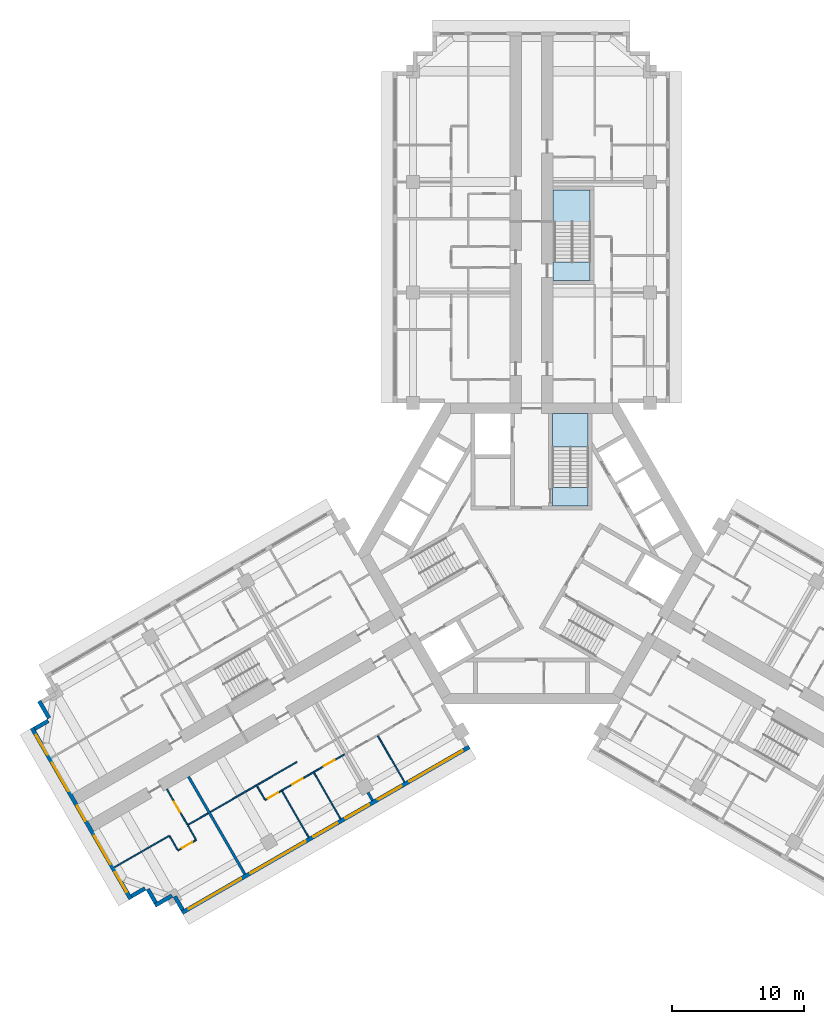
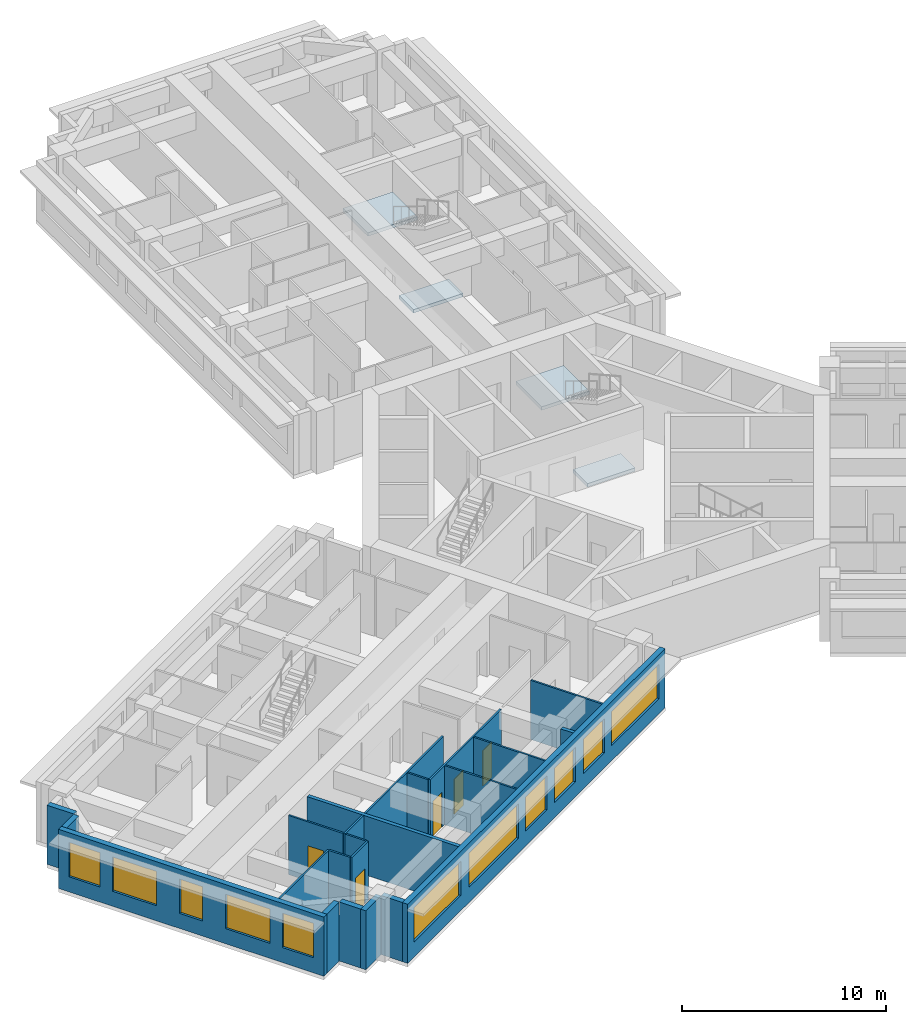
# One storey, part 2 of 14: 22 walls, 11 windows, 5 doors, 4 slabs, 16 openings, 2 elements without a shape of their own.
"""IFC4 building model written with IfcOpenShell, lengths in metres."""

from ifc_helpers import new_model, si_unit, direction, frame, frame_2d, origin, place, context, subcontext, project, spatial, polyline, rectangle, outline, extrude, material, layer, layer_set, type_object, element, fill, aggregate, save


model = new_model("IFC4")

# Units and contexts
model_context = context("Model", 3, precision=1e-05, world=origin(), true_north=direction((0.0, 1.0)))
body_context = subcontext(model_context, "Body", "Model", "MODEL_VIEW")
ifc_project = project(units=[si_unit("LENGTHUNIT", "METRE"), si_unit("AREAUNIT", "SQUARE_METRE"), si_unit("VOLUMEUNIT", "CUBIC_METRE"), si_unit("PLANEANGLEUNIT", "RADIAN"), si_unit("MASSUNIT", "GRAM", prefix="KILO")], contexts=[model_context])

# Site, building, storey
site_placement = place(None, origin())
site = spatial("IfcSite", under=ifc_project, at=site_placement, CompositionType="ELEMENT")
building_placement = place(site_placement, origin())
building = spatial("IfcBuilding", under=site, at=building_placement, Name="Impinga Residences", CompositionType="ELEMENT")
storey_placement = place(building_placement, frame((0.0, 0.0, 143.5)))
storey = spatial("IfcBuildingStorey", under=building, at=storey_placement, Name="L35", CompositionType="ELEMENT", Elevation=143.5)

# Stair, slabs
ifc_material_1 = material(Name="Concrete C40/50", Category="concrete")
stair_type_1 = type_object("IfcStairType", Name="STR core stair 3750 storey, 24 risers", PredefinedType="HALF_TURN_STAIR", material=ifc_material_1)
stair_1_placement = place(storey_placement, origin())
stair_1 = element("IfcStair", 1, at=stair_1_placement, inside=storey, type_object=stair_type_1, Name="Stair ST1 L35", PredefinedType="HALF_TURN_STAIR")
ifc_layer_1 = layer(ifc_material_1, 0.199951171875)
ifc_layer_set_1 = layer_set([ifc_layer_1], Name="Concrete C40/50")
slab_type = type_object("IfcSlabType", Name="LS1 stair landing 200", PredefinedType="LANDING", material=ifc_layer_set_1)
slab_1_placement = place(storey_placement, frame((0.0, 0.0, -0.199951171875)))
slab_1 = element("IfcSlab", 2, at=slab_1_placement, type_object=slab_type, Name="ST1 landing 1", PredefinedType="LANDING", context=body_context, shape_type="SweptSolid", body=[
    extrude(outline(polyline([(1.60009765625, 3.6298828125), (4.300048828125, 3.6298828125), (4.300048828125, 5.0400390625), (1.60009765625, 5.0400390625), (1.60009765625, 3.6298828125)])), origin(), (0.0, 0.0, 1.0), 0.199951171875),
])
slab_2_placement = place(storey_placement, frame((0.0, 0.0, 1.675048828125)))
slab_2 = element("IfcSlab", 3, at=slab_2_placement, type_object=slab_type, Name="ST1 landing 2", PredefinedType="LANDING", context=body_context, shape_type="SweptSolid", body=[
    extrude(outline(polyline([(1.60009765625, 8.10009765625), (4.300048828125, 8.10009765625), (4.300048828125, 10.631591796875), (1.60009765625, 10.631591796875), (1.60009765625, 8.10009765625)])), origin(), (0.0, 0.0, 1.0), 0.199951171875),
])
aggregate(stair_1, [slab_1, slab_2])

stair_type_2 = type_object("IfcStairType", Name="STR wing stair 3750 storey, 24 risers", PredefinedType="HALF_TURN_STAIR", material=ifc_material_1)
stair_2_placement = place(storey_placement, origin())
stair_2 = element("IfcStair", 4, at=stair_2_placement, inside=storey, type_object=stair_type_2, Name="Stair WS1 L35", PredefinedType="HALF_TURN_STAIR")
slab_3_placement = place(storey_placement, frame((0.0, 0.0, -0.199951171875)))
slab_3 = element("IfcSlab", 5, at=slab_3_placement, type_object=slab_type, Name="WS1 landing 1", PredefinedType="LANDING", context=body_context, shape_type="SweptSolid", body=[
    extrude(outline(polyline([(1.64990234375, 20.7314453125), (4.449951171875, 20.7314453125), (4.449951171875, 22.1416015625), (1.64990234375, 22.1416015625), (1.64990234375, 20.7314453125)])), origin(), (0.0, 0.0, 1.0), 0.199951171875),
])
slab_4_placement = place(storey_placement, frame((0.0, 0.0, 1.675048828125)))
slab_4 = element("IfcSlab", 6, at=slab_4_placement, type_object=slab_type, Name="WS1 landing 2", PredefinedType="LANDING", context=body_context, shape_type="SweptSolid", body=[
    extrude(outline(polyline([(1.64990234375, 25.201416015625), (4.449951171875, 25.201416015625), (4.449951171875, 27.631591796875), (1.64990234375, 27.631591796875), (1.64990234375, 25.201416015625)])), origin(), (0.0, 0.0, 1.0), 0.199951171875),
])
aggregate(stair_2, [slab_3, slab_4])

# Wall, openings, windows
ifc_material_2 = material(Name="Terracotta rainscreen on blockwork", Category="masonry")
ifc_layer_2 = layer(ifc_material_2, 0.300048828125)
ifc_layer_set_2 = layer_set([ifc_layer_2], Name="EW1 external wall, terracotta rainscreen on blockwork 300")
wall_type_1 = type_object("IfcWallType", Name="EW1 external wall, terracotta rainscreen on blockwork 300", PredefinedType="SOLIDWALL", material=ifc_layer_set_2)
wall_1_placement = place(storey_placement, frame((-4.72509765625, -14.67919921875, 0.0), z_axis=(0.0, 0.0, 1.0), x_axis=(-0.866026832479, -0.499997525421, 0.0)))
wall_1 = element("IfcWall", 7, at=wall_1_placement, inside=storey, type_object=wall_type_1, Name="External wall EW1 L35", PredefinedType="SOLIDWALL", context=body_context, shape_type="SweptSolid", body=[
    extrude(rectangle(XDim=25.199951171875, YDim=0.300048828125, at=frame_2d((12.60009765625, 0.0))), origin(), (0.0, 0.0, 1.0), 3.530029296875),
])
opening_1_placement = place(wall_1_placement, frame((0.60009765625, 0.0, 0.89990234375)))
opening_1 = element("IfcOpeningElement", 8, at=opening_1_placement, cuts=wall_1, Name="Opening W10", PredefinedType="OPENING", context=body_context, shape_type="SweptSolid", body=[
    extrude(rectangle(XDim=4.64990234375, YDim=2.050048828125, at=frame_2d((2.324951171875, 1.02490234375))), frame((0.0, 0.159912109375, 0.0), z_axis=(0.0, -1.0, 0.0), x_axis=(1.0, 0.0, 0.0)), (0.0, 0.0, 1.0), 0.320068359375),
])
opening_2_placement = place(wall_1_placement, frame((5.949951171875, 0.0, 0.89990234375)))
opening_2 = element("IfcOpeningElement", 9, at=opening_2_placement, cuts=wall_1, Name="Opening W14", PredefinedType="OPENING", context=body_context, shape_type="SweptSolid", body=[
    extrude(rectangle(XDim=2.050048828125, YDim=2.050048828125, at=frame_2d((1.02490234375, 1.02490234375))), frame((0.0, 0.159912109375, 0.0), z_axis=(0.0, -1.0, 0.0), x_axis=(1.0, 0.0, 0.0)), (0.0, 0.0, 1.0), 0.320068359375),
])
opening_3_placement = place(wall_1_placement, frame((8.800048828125, 0.0, 0.89990234375)))
opening_3 = element("IfcOpeningElement", 10, at=opening_3_placement, cuts=wall_1, Name="Opening W14", PredefinedType="OPENING", context=body_context, shape_type="SweptSolid", body=[
    extrude(rectangle(XDim=2.050048828125, YDim=2.050048828125, at=frame_2d((1.02490234375, 1.02490234375))), frame((0.0, 0.159912109375, 0.0), z_axis=(0.0, -1.0, 0.0), x_axis=(1.0, 0.0, 0.0)), (0.0, 0.0, 1.0), 0.320068359375),
])
opening_4_placement = place(wall_1_placement, frame((11.550048828125, 0.0, 0.89990234375)))
opening_4 = element("IfcOpeningElement", 11, at=opening_4_placement, cuts=wall_1, Name="Opening W9", PredefinedType="OPENING", context=body_context, shape_type="SweptSolid", body=[
    extrude(rectangle(XDim=2.10009765625, YDim=2.050048828125, at=frame_2d((1.050048828125, 1.02490234375))), frame((0.0, 0.159912109375, 0.0), z_axis=(0.0, -1.0, 0.0), x_axis=(1.0, 0.0, 0.0)), (0.0, 0.0, 1.0), 0.320068359375),
])
opening_5_placement = place(wall_1_placement, frame((14.35009765625, 0.0, 0.89990234375)))
opening_5 = element("IfcOpeningElement", 12, at=opening_5_placement, cuts=wall_1, Name="Opening W6", PredefinedType="OPENING", context=body_context, shape_type="SweptSolid", body=[
    extrude(rectangle(XDim=4.85009765625, YDim=2.050048828125, at=frame_2d((2.425048828125, 1.02490234375))), frame((0.0, 0.159912109375, 0.0), z_axis=(0.0, -1.0, 0.0), x_axis=(1.0, 0.0, 0.0)), (0.0, 0.0, 1.0), 0.320068359375),
])
opening_6_placement = place(wall_1_placement, frame((20.0, 0.0, 0.89990234375)))
opening_6 = element("IfcOpeningElement", 13, at=opening_6_placement, cuts=wall_1, Name="Opening W3", PredefinedType="OPENING", context=body_context, shape_type="SweptSolid", body=[
    extrude(rectangle(XDim=4.60009765625, YDim=2.050048828125, at=frame_2d((2.300048828125, 1.02490234375))), frame((0.0, 0.159912109375, 0.0), z_axis=(0.0, -1.0, 0.0), x_axis=(1.0, 0.0, 0.0)), (0.0, 0.0, 1.0), 0.320068359375),
])
ifc_material_3 = material(Name="Aluminium window, clear double glazing", Category="aluminium")
window_type_1 = type_object("IfcWindowType", Name="W10 ribbon window 4650x2050", PartitioningType="SINGLE_PANEL", PredefinedType="WINDOW", material=ifc_material_3)
window_1_placement = place(opening_1_placement, origin())
window_1 = element("IfcWindow", 14, at=window_1_placement, inside=storey, type_object=window_type_1, Name="Window L35", OverallHeight=2.050048828125, OverallWidth=4.64990234375, PartitioningType="SINGLE_PANEL", PredefinedType="WINDOW", context=body_context, shape_type="SweptSolid", body=[
    extrude(rectangle(XDim=4.64990234375, YDim=2.050048828125, at=frame_2d((2.324951171875, 1.02490234375))), frame((0.0, 0.030029296875, 0.0), z_axis=(0.0, -1.0, 0.0), x_axis=(1.0, 0.0, 0.0)), (0.0, 0.0, 1.0), 0.06005859375),
])
fill(opening_1, window_1)
window_type_2 = type_object("IfcWindowType", Name="W14 ribbon window 2050x2050", PartitioningType="SINGLE_PANEL", PredefinedType="WINDOW", material=ifc_material_3)
window_2_placement = place(opening_2_placement, origin())
window_2 = element("IfcWindow", 15, at=window_2_placement, inside=storey, type_object=window_type_2, Name="Window L35", OverallHeight=2.050048828125, OverallWidth=2.050048828125, PartitioningType="SINGLE_PANEL", PredefinedType="WINDOW", context=body_context, shape_type="SweptSolid", body=[
    extrude(rectangle(XDim=2.050048828125, YDim=2.050048828125, at=frame_2d((1.02490234375, 1.02490234375))), frame((0.0, 0.030029296875, 0.0), z_axis=(0.0, -1.0, 0.0), x_axis=(1.0, 0.0, 0.0)), (0.0, 0.0, 1.0), 0.06005859375),
])
fill(opening_2, window_2)
window_3_placement = place(opening_3_placement, origin())
window_3 = element("IfcWindow", 16, at=window_3_placement, inside=storey, type_object=window_type_2, Name="Window L35", OverallHeight=2.050048828125, OverallWidth=2.050048828125, PartitioningType="SINGLE_PANEL", PredefinedType="WINDOW", context=body_context, shape_type="SweptSolid", body=[
    extrude(rectangle(XDim=2.050048828125, YDim=2.050048828125, at=frame_2d((1.02490234375, 1.02490234375))), frame((0.0, 0.030029296875, 0.0), z_axis=(0.0, -1.0, 0.0), x_axis=(1.0, 0.0, 0.0)), (0.0, 0.0, 1.0), 0.06005859375),
])
fill(opening_3, window_3)
window_type_3 = type_object("IfcWindowType", Name="W3 ribbon window 4600x2050", PartitioningType="SINGLE_PANEL", PredefinedType="WINDOW", material=ifc_material_3)
window_4_placement = place(opening_6_placement, origin())
window_4 = element("IfcWindow", 17, at=window_4_placement, inside=storey, type_object=window_type_3, Name="Window L35", OverallHeight=2.050048828125, OverallWidth=4.60009765625, PartitioningType="SINGLE_PANEL", PredefinedType="WINDOW", context=body_context, shape_type="SweptSolid", body=[
    extrude(rectangle(XDim=4.60009765625, YDim=2.050048828125, at=frame_2d((2.300048828125, 1.02490234375))), frame((0.0, 0.030029296875, 0.0), z_axis=(0.0, -1.0, 0.0), x_axis=(1.0, 0.0, 0.0)), (0.0, 0.0, 1.0), 0.06005859375),
])
fill(opening_6, window_4)
window_type_4 = type_object("IfcWindowType", Name="W6 ribbon window 4850x2050", PartitioningType="SINGLE_PANEL", PredefinedType="WINDOW", material=ifc_material_3)
window_5_placement = place(opening_5_placement, origin())
window_5 = element("IfcWindow", 18, at=window_5_placement, inside=storey, type_object=window_type_4, Name="Window L35", OverallHeight=2.050048828125, OverallWidth=4.85009765625, PartitioningType="SINGLE_PANEL", PredefinedType="WINDOW", context=body_context, shape_type="SweptSolid", body=[
    extrude(rectangle(XDim=4.85009765625, YDim=2.050048828125, at=frame_2d((2.425048828125, 1.02490234375))), frame((0.0, 0.030029296875, 0.0), z_axis=(0.0, -1.0, 0.0), x_axis=(1.0, 0.0, 0.0)), (0.0, 0.0, 1.0), 0.06005859375),
])
fill(opening_5, window_5)
window_type_5 = type_object("IfcWindowType", Name="W9 ribbon window 2100x2050", PartitioningType="SINGLE_PANEL", PredefinedType="WINDOW", material=ifc_material_3)
window_6_placement = place(opening_4_placement, origin())
window_6 = element("IfcWindow", 19, at=window_6_placement, inside=storey, type_object=window_type_5, Name="Window L35", OverallHeight=2.050048828125, OverallWidth=2.10009765625, PartitioningType="SINGLE_PANEL", PredefinedType="WINDOW", context=body_context, shape_type="SweptSolid", body=[
    extrude(rectangle(XDim=2.10009765625, YDim=2.050048828125, at=frame_2d((1.050048828125, 1.02490234375))), frame((0.0, 0.030029296875, 0.0), z_axis=(0.0, -1.0, 0.0), x_axis=(1.0, 0.0, 0.0)), (0.0, 0.0, 1.0), 0.06005859375),
])
fill(opening_4, window_6)

# Walls
wall_2_placement = place(storey_placement, frame((-26.493896484375, -27.07421875, 0.0), z_axis=(0.0, 0.0, 1.0), x_axis=(-0.500033551112, 0.866006032174, 0.0)))
element("IfcWall", 20, at=wall_2_placement, inside=storey, type_object=wall_type_1, Name="External wall EW1 L35", PredefinedType="SOLIDWALL", context=body_context, shape_type="SweptSolid", body=[
    extrude(rectangle(XDim=1.2001953125, YDim=0.300048828125, at=frame_2d((0.60009765625, 0.0))), origin(), (0.0, 0.0, 1.0), 3.530029296875),
])
wall_3_placement = place(storey_placement, frame((-27.30322265625, -25.982666015625, 0.0), z_axis=(0.0, 0.0, 1.0), x_axis=(-0.866074087889, -0.499915667175, 0.0)))
element("IfcWall", 21, at=wall_3_placement, inside=storey, type_object=wall_type_1, Name="External wall EW1 L35", PredefinedType="SOLIDWALL", context=body_context, shape_type="SweptSolid", body=[
    extrude(rectangle(XDim=1.494873046875, YDim=0.300048828125, at=frame_2d((0.74755859375, 0.0))), origin(), (0.0, 0.0, 1.0), 3.530029296875),
])
wall_4_placement = place(storey_placement, frame((-28.54296875, -26.525146484375, 0.0), z_axis=(0.0, 0.0, 1.0), x_axis=(-0.500033551112, 0.866006032174, 0.0)))
element("IfcWall", 22, at=wall_4_placement, inside=storey, type_object=wall_type_1, Name="External wall EW1 L35", PredefinedType="SOLIDWALL", context=body_context, shape_type="SweptSolid", body=[
    extrude(rectangle(XDim=1.2001953125, YDim=0.300048828125, at=frame_2d((0.60009765625, 0.0))), origin(), (0.0, 0.0, 1.0), 3.530029296875),
])
wall_5_placement = place(storey_placement, frame((-29.352294921875, -25.43359375, 0.0), z_axis=(0.0, 0.0, 1.0), x_axis=(-0.866059708757, -0.499940577336, 0.0)))
element("IfcWall", 23, at=wall_5_placement, inside=storey, type_object=wall_type_1, Name="External wall EW1 L35", PredefinedType="SOLIDWALL", context=body_context, shape_type="SweptSolid", body=[
    extrude(rectangle(XDim=1.195068359375, YDim=0.300048828125, at=frame_2d((0.59765625, 0.0))), origin(), (0.0, 0.0, 1.0), 3.530029296875),
])

# Wall, openings, windows
wall_6_placement = place(storey_placement, frame((-30.44189453125, -26.23583984375, 0.0), z_axis=(0.0, 0.0, 1.0), x_axis=(-0.500004234368, 0.866022959057, 0.0)))
wall_6 = element("IfcWall", 24, at=wall_6_placement, inside=storey, type_object=wall_type_1, Name="External wall EW1 L35", PredefinedType="SOLIDWALL", context=body_context, shape_type="SweptSolid", body=[
    extrude(rectangle(XDim=14.999755859375, YDim=0.300048828125, at=frame_2d((7.5, 0.0))), origin(), (0.0, 0.0, 1.0), 3.530029296875),
])
opening_7_placement = place(wall_6_placement, frame((0.60009765625, 0.0, 0.89990234375)))
opening_7 = element("IfcOpeningElement", 25, at=opening_7_placement, cuts=wall_6, Name="Opening W1", PredefinedType="OPENING", context=body_context, shape_type="SweptSolid", body=[
    extrude(rectangle(XDim=1.75, YDim=2.050048828125, at=frame_2d((0.875, 1.02490234375))), frame((0.0, 0.159912109375, 0.0), z_axis=(0.0, -1.0, 0.0), x_axis=(1.0, 0.0, 0.0)), (0.0, 0.0, 1.0), 0.320068359375),
])
opening_8_placement = place(wall_6_placement, frame((3.050048828125, 0.0, 0.89990234375)))
opening_8 = element("IfcOpeningElement", 26, at=opening_8_placement, cuts=wall_6, Name="Opening W2", PredefinedType="OPENING", context=body_context, shape_type="SweptSolid", body=[
    extrude(rectangle(XDim=2.5, YDim=2.050048828125, at=frame_2d((1.25, 1.02490234375))), frame((0.0, 0.159912109375, 0.0), z_axis=(0.0, -1.0, 0.0), x_axis=(1.0, 0.0, 0.0)), (0.0, 0.0, 1.0), 0.320068359375),
])
opening_9_placement = place(wall_6_placement, frame((6.85009765625, 0.0, 0.89990234375)))
opening_9 = element("IfcOpeningElement", 27, at=opening_9_placement, cuts=wall_6, Name="Opening W17", PredefinedType="OPENING", context=body_context, shape_type="SweptSolid", body=[
    extrude(rectangle(XDim=1.300048828125, YDim=2.050048828125, at=frame_2d((0.64990234375, 1.02490234375))), frame((0.0, 0.159912109375, 0.0), z_axis=(0.0, -1.0, 0.0), x_axis=(1.0, 0.0, 0.0)), (0.0, 0.0, 1.0), 0.320068359375),
])
opening_10_placement = place(wall_6_placement, frame((9.449951171875, 0.0, 0.89990234375)))
opening_10 = element("IfcOpeningElement", 28, at=opening_10_placement, cuts=wall_6, Name="Opening W2", PredefinedType="OPENING", context=body_context, shape_type="SweptSolid", body=[
    extrude(rectangle(XDim=2.5, YDim=2.050048828125, at=frame_2d((1.25, 1.02490234375))), frame((0.0, 0.159912109375, 0.0), z_axis=(0.0, -1.0, 0.0), x_axis=(1.0, 0.0, 0.0)), (0.0, 0.0, 1.0), 0.320068359375),
])
opening_11_placement = place(wall_6_placement, frame((12.64990234375, 0.0, 0.89990234375)))
opening_11 = element("IfcOpeningElement", 29, at=opening_11_placement, cuts=wall_6, Name="Opening W1", PredefinedType="OPENING", context=body_context, shape_type="SweptSolid", body=[
    extrude(rectangle(XDim=1.75, YDim=2.050048828125, at=frame_2d((0.875, 1.02490234375))), frame((0.0, 0.159912109375, 0.0), z_axis=(0.0, -1.0, 0.0), x_axis=(1.0, 0.0, 0.0)), (0.0, 0.0, 1.0), 0.320068359375),
])
window_type_6 = type_object("IfcWindowType", Name="W1 ribbon window 1750x2050", PartitioningType="SINGLE_PANEL", PredefinedType="WINDOW", material=ifc_material_3)
window_7_placement = place(opening_7_placement, origin())
window_7 = element("IfcWindow", 30, at=window_7_placement, inside=storey, type_object=window_type_6, Name="Window L35", OverallHeight=2.050048828125, OverallWidth=1.75, PartitioningType="SINGLE_PANEL", PredefinedType="WINDOW", context=body_context, shape_type="SweptSolid", body=[
    extrude(rectangle(XDim=1.75, YDim=2.050048828125, at=frame_2d((0.875, 1.02490234375))), frame((0.0, 0.030029296875, 0.0), z_axis=(0.0, -1.0, 0.0), x_axis=(1.0, 0.0, 0.0)), (0.0, 0.0, 1.0), 0.06005859375),
])
fill(opening_7, window_7)
window_8_placement = place(opening_11_placement, origin())
window_8 = element("IfcWindow", 31, at=window_8_placement, inside=storey, type_object=window_type_6, Name="Window L35", OverallHeight=2.050048828125, OverallWidth=1.75, PartitioningType="SINGLE_PANEL", PredefinedType="WINDOW", context=body_context, shape_type="SweptSolid", body=[
    extrude(rectangle(XDim=1.75, YDim=2.050048828125, at=frame_2d((0.875, 1.02490234375))), frame((0.0, 0.030029296875, 0.0), z_axis=(0.0, -1.0, 0.0), x_axis=(1.0, 0.0, 0.0)), (0.0, 0.0, 1.0), 0.06005859375),
])
fill(opening_11, window_8)
window_type_7 = type_object("IfcWindowType", Name="W17 ribbon window 1300x2050", PartitioningType="SINGLE_PANEL", PredefinedType="WINDOW", material=ifc_material_3)
window_9_placement = place(opening_9_placement, origin())
window_9 = element("IfcWindow", 32, at=window_9_placement, inside=storey, type_object=window_type_7, Name="Window L35", OverallHeight=2.050048828125, OverallWidth=1.300048828125, PartitioningType="SINGLE_PANEL", PredefinedType="WINDOW", context=body_context, shape_type="SweptSolid", body=[
    extrude(rectangle(XDim=1.300048828125, YDim=2.050048828125, at=frame_2d((0.64990234375, 1.02490234375))), frame((0.0, 0.030029296875, 0.0), z_axis=(0.0, -1.0, 0.0), x_axis=(1.0, 0.0, 0.0)), (0.0, 0.0, 1.0), 0.06005859375),
])
fill(opening_9, window_9)
window_type_8 = type_object("IfcWindowType", Name="W2 ribbon window 2500x2050", PartitioningType="SINGLE_PANEL", PredefinedType="WINDOW", material=ifc_material_3)
window_10_placement = place(opening_8_placement, origin())
window_10 = element("IfcWindow", 33, at=window_10_placement, inside=storey, type_object=window_type_8, Name="Window L35", OverallHeight=2.050048828125, OverallWidth=2.5, PartitioningType="SINGLE_PANEL", PredefinedType="WINDOW", context=body_context, shape_type="SweptSolid", body=[
    extrude(rectangle(XDim=2.5, YDim=2.050048828125, at=frame_2d((1.25, 1.02490234375))), frame((0.0, 0.030029296875, 0.0), z_axis=(0.0, -1.0, 0.0), x_axis=(1.0, 0.0, 0.0)), (0.0, 0.0, 1.0), 0.06005859375),
])
fill(opening_8, window_10)
window_11_placement = place(opening_10_placement, origin())
window_11 = element("IfcWindow", 34, at=window_11_placement, inside=storey, type_object=window_type_8, Name="Window L35", OverallHeight=2.050048828125, OverallWidth=2.5, PartitioningType="SINGLE_PANEL", PredefinedType="WINDOW", context=body_context, shape_type="SweptSolid", body=[
    extrude(rectangle(XDim=2.5, YDim=2.050048828125, at=frame_2d((1.25, 1.02490234375))), frame((0.0, 0.030029296875, 0.0), z_axis=(0.0, -1.0, 0.0), x_axis=(1.0, 0.0, 0.0)), (0.0, 0.0, 1.0), 0.06005859375),
])
fill(opening_10, window_11)

# Walls
wall_7_placement = place(storey_placement, frame((-37.737060546875, -13.300537109375, 0.0), z_axis=(0.0, 0.0, 1.0), x_axis=(0.865971243484, 0.500093796661, 0.0)))
element("IfcWall", 35, at=wall_7_placement, inside=storey, type_object=wall_type_1, Name="External wall EW1 L35", PredefinedType="SOLIDWALL", context=body_context, shape_type="SweptSolid", body=[
    extrude(rectangle(XDim=1.195068359375, YDim=0.300048828125, at=frame_2d((0.59765625, 0.0))), origin(), (0.0, 0.0, 1.0), 3.530029296875),
])
wall_8_placement = place(storey_placement, frame((-36.64306640625, -12.49560546875, 0.0), z_axis=(0.0, 0.0, 1.0), x_axis=(-0.499990139034, 0.866031096941, 0.0)))
element("IfcWall", 36, at=wall_8_placement, inside=storey, type_object=wall_type_1, Name="External wall EW1 L35", PredefinedType="SOLIDWALL", context=body_context, shape_type="SweptSolid", body=[
    extrude(rectangle(XDim=1.5, YDim=0.300048828125, at=frame_2d((0.75, 0.0))), origin(), (0.0, 0.0, 1.0), 3.530029296875),
])
ifc_material_4 = material(Name="Gypsum board on steel studs", Category="steel")
ifc_layer_3 = layer(ifc_material_4, 0.10009765625)
ifc_layer_set_3 = layer_set([ifc_layer_3], Name="Gypsum board on steel studs")
wall_type_2 = type_object("IfcWallType", Name="IP1 partition 100", PredefinedType="PARTITIONING", material=ifc_layer_set_3)
wall_9_placement = place(storey_placement, frame((-11.6748046875, -13.841796875, 0.0), z_axis=(0.0, 0.0, 1.0), x_axis=(0.500035537042, -0.866004885491, 0.0)))
element("IfcWall", 37, at=wall_9_placement, inside=storey, type_object=wall_type_2, Name="Partition L35-WA1:OB1", PredefinedType="PARTITIONING", context=body_context, shape_type="SweptSolid", body=[
    extrude(rectangle(XDim=4.050048828125, YDim=0.10009765625, at=frame_2d((2.02490234375, 0.0))), origin(), (0.0, 0.0, 1.0), 3.530029296875),
])
wall_10_placement = place(storey_placement, frame((-17.8056640625, -15.82275390625, 0.0), z_axis=(0.0, 0.0, 1.0), x_axis=(-0.866022425744, -0.500005158081, 0.0)))
element("IfcWall", 38, at=wall_10_placement, inside=storey, type_object=wall_type_2, Name="Partition L35-WA2:DIV1", PredefinedType="PARTITIONING", context=body_context, shape_type="SweptSolid", body=[
    extrude(rectangle(XDim=7.60009765625, YDim=0.10009765625, at=frame_2d((3.800048828125, 0.0))), origin(), (0.0, 0.0, 1.0), 3.530029296875),
])

# Wall, openings, doors
wall_11_placement = place(storey_placement, frame((-14.211181640625, -15.24853515625, 0.0), z_axis=(0.0, 0.0, 1.0), x_axis=(-0.866016523273, -0.500015381182, 0.0)))
wall_11 = element("IfcWall", 39, at=wall_11_placement, inside=storey, type_object=wall_type_2, Name="Partition L35-WA2:STRIP", PredefinedType="PARTITIONING", context=body_context, shape_type="SweptSolid", body=[
    extrude(rectangle(XDim=6.949951171875, YDim=0.10009765625, at=frame_2d((3.47509765625, 0.0))), origin(), (0.0, 0.0, 1.0), 3.530029296875),
])
opening_12_placement = place(wall_11_placement, frame((0.875, 0.0, 0.0)))
opening_12 = element("IfcOpeningElement", 40, at=opening_12_placement, cuts=wall_11, Name="Opening D2", PredefinedType="OPENING", context=body_context, shape_type="SweptSolid", body=[
    extrude(rectangle(XDim=0.89990234375, YDim=2.10009765625, at=frame_2d((0.449951171875, 1.050048828125))), frame((0.0, 0.06005859375, 0.0), z_axis=(0.0, -1.0, 0.0), x_axis=(1.0, 0.0, 0.0)), (0.0, 0.0, 1.0), 0.1201171875),
])
opening_13_placement = place(wall_11_placement, frame((3.64990234375, 0.0, 0.0)))
opening_13 = element("IfcOpeningElement", 41, at=opening_13_placement, cuts=wall_11, Name="Opening D2", PredefinedType="OPENING", context=body_context, shape_type="SweptSolid", body=[
    extrude(rectangle(XDim=0.89990234375, YDim=2.10009765625, at=frame_2d((0.449951171875, 1.050048828125))), frame((0.0, 0.06005859375, 0.0), z_axis=(0.0, -1.0, 0.0), x_axis=(1.0, 0.0, 0.0)), (0.0, 0.0, 1.0), 0.1201171875),
])
opening_14_placement = place(wall_11_placement, frame((5.800048828125, 0.0, 0.0)))
opening_14 = element("IfcOpeningElement", 42, at=opening_14_placement, cuts=wall_11, Name="Opening D2", PredefinedType="OPENING", context=body_context, shape_type="SweptSolid", body=[
    extrude(rectangle(XDim=0.89990234375, YDim=2.10009765625, at=frame_2d((0.449951171875, 1.050048828125))), frame((0.0, 0.06005859375, 0.0), z_axis=(0.0, -1.0, 0.0), x_axis=(1.0, 0.0, 0.0)), (0.0, 0.0, 1.0), 0.1201171875),
])
ifc_material_5 = material(Name="Timber door set", Category="wood")
door_type = type_object("IfcDoorType", Name="D2 internal door 900x2100", OperationType="SINGLE_SWING_LEFT", PredefinedType="DOOR", material=ifc_material_5)
door_1_placement = place(opening_12_placement, origin())
door_1 = element("IfcDoor", 43, at=door_1_placement, inside=storey, type_object=door_type, Name="Apartment L35-WA2 room door", OperationType="SINGLE_SWING_LEFT", OverallHeight=2.10009765625, OverallWidth=0.89990234375, PredefinedType="DOOR", context=body_context, shape_type="SweptSolid", body=[
    extrude(rectangle(XDim=0.89990234375, YDim=2.10009765625, at=frame_2d((0.449951171875, 1.050048828125))), frame((0.0, 0.02490234375, 0.0), z_axis=(0.0, -1.0, 0.0), x_axis=(1.0, 0.0, 0.0)), (0.0, 0.0, 1.0), 0.050048828125),
])
fill(opening_12, door_1)
door_2_placement = place(opening_13_placement, origin())
door_2 = element("IfcDoor", 44, at=door_2_placement, inside=storey, type_object=door_type, Name="Apartment L35-WA2 room door", OperationType="SINGLE_SWING_RIGHT", OverallHeight=2.10009765625, OverallWidth=0.89990234375, PredefinedType="DOOR", context=body_context, shape_type="SweptSolid", body=[
    extrude(rectangle(XDim=0.89990234375, YDim=2.10009765625, at=frame_2d((0.449951171875, 1.050048828125))), frame((0.0, 0.02490234375, 0.0), z_axis=(0.0, -1.0, 0.0), x_axis=(1.0, 0.0, 0.0)), (0.0, 0.0, 1.0), 0.050048828125),
])
fill(opening_13, door_2)
door_3_placement = place(opening_14_placement, origin())
door_3 = element("IfcDoor", 45, at=door_3_placement, inside=storey, type_object=door_type, Name="Apartment L35-WA2 room door", OperationType="SINGLE_SWING_RIGHT", OverallHeight=2.10009765625, OverallWidth=0.89990234375, PredefinedType="DOOR", context=body_context, shape_type="SweptSolid", body=[
    extrude(rectangle(XDim=0.89990234375, YDim=2.10009765625, at=frame_2d((0.449951171875, 1.050048828125))), frame((0.0, 0.02490234375, 0.0), z_axis=(0.0, -1.0, 0.0), x_axis=(1.0, 0.0, 0.0)), (0.0, 0.0, 1.0), 0.050048828125),
])
fill(opening_14, door_3)

# Walls
wall_12_placement = place(storey_placement, frame((-20.85498046875, -17.640869140625, 0.0), z_axis=(0.0, 0.0, 1.0), x_axis=(0.499880961361, -0.866094119867, 0.0)))
element("IfcWall", 46, at=wall_12_placement, inside=storey, type_object=wall_type_2, Name="Partition L35-WA2:SE1", PredefinedType="PARTITIONING", context=body_context, shape_type="SweptSolid", body=[
    extrude(rectangle(XDim=1.199951171875, YDim=0.10009765625, at=frame_2d((0.60009765625, 0.0))), origin(), (0.0, 0.0, 1.0), 3.530029296875),
])
wall_13_placement = place(storey_placement, frame((-16.5244140625, -16.641845703125, 0.0), z_axis=(0.0, 0.0, 1.0), x_axis=(0.499990325971, -0.866030989016, 0.0)))
element("IfcWall", 47, at=wall_13_placement, inside=storey, type_object=wall_type_2, Name="Partition L35-WA2:OB1", PredefinedType="PARTITIONING", context=body_context, shape_type="SweptSolid", body=[
    extrude(rectangle(XDim=4.0498046875, YDim=0.10009765625, at=frame_2d((2.02490234375, 0.0))), origin(), (0.0, 0.0, 1.0), 3.530029296875),
])
wall_14_placement = place(storey_placement, frame((-18.949462890625, -18.041748046875, 0.0), z_axis=(0.0, 0.0, 1.0), x_axis=(0.50000943426, -0.866019956843, 0.0)))
element("IfcWall", 48, at=wall_14_placement, inside=storey, type_object=wall_type_2, Name="Partition L35-WA2:OB2", PredefinedType="PARTITIONING", context=body_context, shape_type="SweptSolid", body=[
    extrude(rectangle(XDim=4.05029296875, YDim=0.10009765625, at=frame_2d((2.025146484375, 0.0))), origin(), (0.0, 0.0, 1.0), 3.530029296875),
])
wall_15_placement = place(storey_placement, frame((-24.560791015625, -19.72265625, 0.0), z_axis=(0.0, 0.0, 1.0), x_axis=(-0.865989075817, -0.500062916607, 0.0)))
element("IfcWall", 49, at=wall_15_placement, inside=storey, type_object=wall_type_2, Name="Partition L35-WA3:DIV0", PredefinedType="PARTITIONING", context=body_context, shape_type="SweptSolid", body=[
    extrude(rectangle(XDim=1.800048828125, YDim=0.10009765625, at=frame_2d((0.89990234375, 0.0))), origin(), (0.0, 0.0, 1.0), 3.530029296875),
])
wall_16_placement = place(storey_placement, frame((-27.505126953125, -21.422607421875, 0.0), z_axis=(0.0, 0.0, 1.0), x_axis=(-0.866015339567, -0.500017431331, 0.0)))
element("IfcWall", 50, at=wall_16_placement, inside=storey, type_object=wall_type_2, Name="Partition L35-WA3:DIV1", PredefinedType="PARTITIONING", context=body_context, shape_type="SweptSolid", body=[
    extrude(rectangle(XDim=4.800048828125, YDim=0.10009765625, at=frame_2d((2.39990234375, 0.0))), origin(), (0.0, 0.0, 1.0), 3.530029296875),
])

# Wall, opening, door
wall_17_placement = place(storey_placement, frame((-25.469482421875, -21.74853515625, 0.0), z_axis=(0.0, 0.0, 1.0), x_axis=(-0.866028054938, -0.499995408039, 0.0)))
wall_17 = element("IfcWall", 51, at=wall_17_placement, inside=storey, type_object=wall_type_2, Name="Partition L35-WA3:STRIP", PredefinedType="PARTITIONING", context=body_context, shape_type="SweptSolid", body=[
    extrude(rectangle(XDim=1.60009765625, YDim=0.10009765625, at=frame_2d((0.800048828125, 0.0))), origin(), (0.0, 0.0, 1.0), 3.530029296875),
])
opening_15_placement = place(wall_17_placement, frame((0.35009765625, 0.0, 0.0)))
opening_15 = element("IfcOpeningElement", 52, at=opening_15_placement, cuts=wall_17, Name="Opening D2", PredefinedType="OPENING", context=body_context, shape_type="SweptSolid", body=[
    extrude(rectangle(XDim=0.89990234375, YDim=2.10009765625, at=frame_2d((0.449951171875, 1.050048828125))), frame((0.0, 0.06005859375, 0.0), z_axis=(0.0, -1.0, 0.0), x_axis=(1.0, 0.0, 0.0)), (0.0, 0.0, 1.0), 0.1201171875),
])
door_4_placement = place(opening_15_placement, origin())
door_4 = element("IfcDoor", 53, at=door_4_placement, inside=storey, type_object=door_type, Name="Apartment L35-WA3 room door", OperationType="SINGLE_SWING_LEFT", OverallHeight=2.10009765625, OverallWidth=0.89990234375, PredefinedType="DOOR", context=body_context, shape_type="SweptSolid", body=[
    extrude(rectangle(XDim=0.89990234375, YDim=2.10009765625, at=frame_2d((0.449951171875, 1.050048828125))), frame((0.0, 0.02490234375, 0.0), z_axis=(0.0, -1.0, 0.0), x_axis=(1.0, 0.0, 0.0)), (0.0, 0.0, 1.0), 0.050048828125),
])
fill(opening_15, door_4)

# Walls
for number, where, z_axis, x_axis, name in (
    (54, (-26.094482421875, -20.666015625, 0.0), (0.0, 0.0, 1.0), (0.499880961361, -0.866094119867, 0.0), "Partition L35-WA3:SE0"),
    (55, (-27.480224609375, -21.466064453125, 0.0), (0.0, 0.0, 1.0), (0.50012165622, -0.865955154139, 0.0), "Partition L35-WA3:SE1"),
):
    element("IfcWall", number, at=place(storey_placement, frame(where, z_axis=z_axis, x_axis=x_axis)), inside=storey, type_object=wall_type_2, Name=name, PredefinedType="PARTITIONING", context=body_context, shape_type="SweptSolid", body=[
        extrude(rectangle(XDim=1.199951171875, YDim=0.10009765625, at=frame_2d((0.60009765625, 0.0))), origin(), (0.0, 0.0, 1.0), 3.530029296875),
    ])

# Wall, opening, door
wall_18_placement = place(storey_placement, frame((-27.694580078125, -17.894775390625, 0.0), z_axis=(0.0, 0.0, 1.0), x_axis=(0.500026960575, -0.86600983753, 0.0)))
wall_18 = element("IfcWall", 56, at=wall_18_placement, inside=storey, type_object=wall_type_2, Name="Partition L35-WA3:IB1", PredefinedType="PARTITIONING", context=body_context, shape_type="SweptSolid", body=[
    extrude(rectangle(XDim=3.099853515625, YDim=0.10009765625, at=frame_2d((1.5498046875, 0.0))), origin(), (0.0, 0.0, 1.0), 3.530029296875),
])
opening_16_placement = place(wall_18_placement, frame((1.10009765625, 0.0, 0.0)))
opening_16 = element("IfcOpeningElement", 57, at=opening_16_placement, cuts=wall_18, Name="Opening D2", PredefinedType="OPENING", context=body_context, shape_type="SweptSolid", body=[
    extrude(rectangle(XDim=0.89990234375, YDim=2.10009765625, at=frame_2d((0.449951171875, 1.050048828125))), frame((0.0, 0.06005859375, 0.0), z_axis=(0.0, -1.0, 0.0), x_axis=(1.0, 0.0, 0.0)), (0.0, 0.0, 1.0), 0.1201171875),
])
door_5_placement = place(opening_16_placement, origin())
door_5 = element("IfcDoor", 58, at=door_5_placement, inside=storey, type_object=door_type, Name="Apartment L35-WA3 bathroom door", OperationType="SINGLE_SWING_LEFT", OverallHeight=2.10009765625, OverallWidth=0.89990234375, PredefinedType="DOOR", context=body_context, shape_type="SweptSolid", body=[
    extrude(rectangle(XDim=0.89990234375, YDim=2.10009765625, at=frame_2d((0.449951171875, 1.050048828125))), frame((0.0, 0.02490234375, 0.0), z_axis=(0.0, -1.0, 0.0), x_axis=(1.0, 0.0, 0.0)), (0.0, 0.0, 1.0), 0.050048828125),
])
fill(opening_16, door_5)

# Walls
ifc_material_6 = material(Name="Concrete blockwork", Category="masonry")
ifc_layer_4 = layer(ifc_material_6, 0.199951171875)
ifc_layer_set_4 = layer_set([ifc_layer_4], Name="PW1 party wall between apartments 200")
wall_type_3 = type_object("IfcWallType", Name="PW1 party wall between apartments 200", PredefinedType="SOLIDWALL", material=ifc_layer_set_4)
wall_19_placement = place(storey_placement, frame((-12.424560546875, -18.14306640625, 0.0), z_axis=(0.0, 0.0, 1.0), x_axis=(0.499853302173, -0.866110083249, 0.0)))
element("IfcWall", 59, at=wall_19_placement, inside=storey, type_object=wall_type_3, Name="Party wall between apartments L35-WA1:PARTYb", PredefinedType="SOLIDWALL", context=body_context, shape_type="SweptSolid", body=[
    extrude(rectangle(XDim=0.699951171875, YDim=0.199951171875, at=frame_2d((0.35009765625, 0.0))), origin(), (0.0, 0.0, 1.0), 3.530029296875),
])
wall_20_placement = place(storey_placement, frame((-26.049072265625, -16.94482421875, 0.0), z_axis=(0.0, 0.0, 1.0), x_axis=(0.500002592159, -0.866023907196, 0.0)))
element("IfcWall", 60, at=wall_20_placement, inside=storey, type_object=wall_type_3, Name="Party wall between apartments L35-WA2:PARTY", PredefinedType="SOLIDWALL", context=body_context, shape_type="SweptSolid", body=[
    extrude(rectangle(XDim=8.5498046875, YDim=0.199951171875, at=frame_2d((4.27490234375, 0.0))), origin(), (0.0, 0.0, 1.0), 3.530029296875),
])

save(model, "model.ifc")
